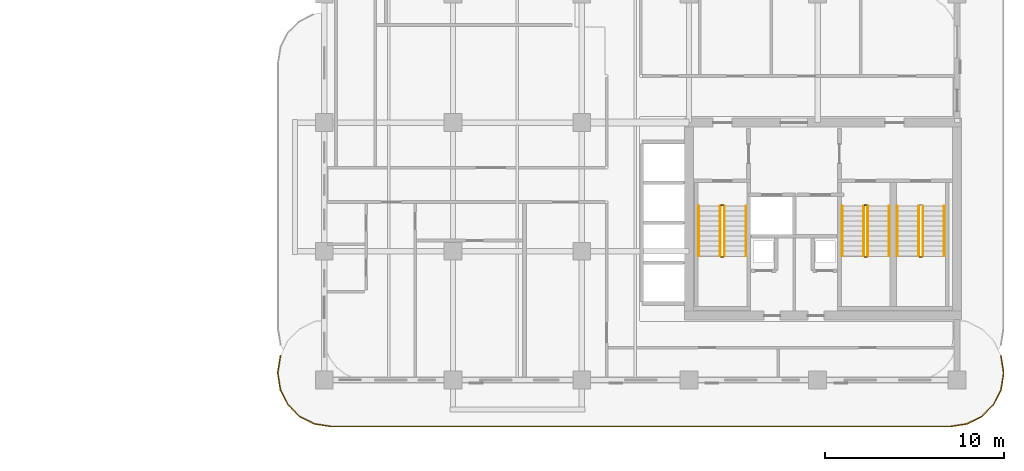
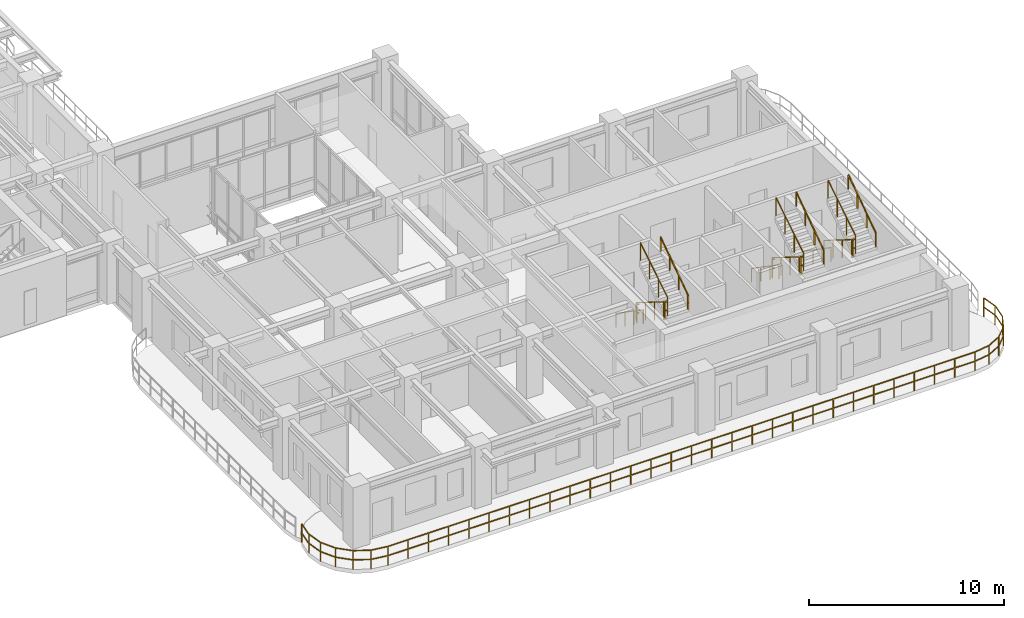
# One storey, part 17 of 20: 18 railings.
"""IFC4 building model written with IfcOpenShell, lengths in metres."""

from ifc_helpers import new_model, si_unit, derived_unit, direction, frame, origin, origin_2d, place, context, subcontext, project, spatial, rectangle, extrude, material, type_object, element, save


model = new_model("IFC4")

# Units and contexts
model_context = context("Model", 3, precision=1e-05, world=origin(), true_north=direction((0.0, 1.0)))
body_context = subcontext(model_context, "Body", "Model", "MODEL_VIEW")
ifc_project = project(units=[si_unit("LENGTHUNIT", "METRE"), si_unit("AREAUNIT", "SQUARE_METRE"), si_unit("VOLUMEUNIT", "CUBIC_METRE"), si_unit("PLANEANGLEUNIT", "RADIAN"), si_unit("MASSUNIT", "GRAM", prefix="KILO"), si_unit("THERMODYNAMICTEMPERATUREUNIT", "KELVIN"), si_unit("POWERUNIT", "WATT"), derived_unit("THERMALTRANSMITTANCEUNIT", [(si_unit("POWERUNIT", "WATT"), 1), (si_unit("AREAUNIT", "SQUARE_METRE"), -1), (si_unit("THERMODYNAMICTEMPERATUREUNIT", "KELVIN"), -1)])], contexts=[model_context])

# Site, building, storey
site_placement = place(None, origin())
site = spatial("IfcSite", under=ifc_project, at=site_placement, CompositionType="ELEMENT")
building_placement = place(site_placement, origin())
building = spatial("IfcBuilding", under=site, at=building_placement, Name="Zahravan Archway Hotel and Residences", CompositionType="ELEMENT")
storey_placement = place(building_placement, frame((0.0, 0.0, 154.14990234375)))
storey = spatial("IfcBuildingStorey", under=building, at=storey_placement, Name="L38", CompositionType="ELEMENT", Elevation=154.14990234375)

# Railings
ifc_material_1 = material(Name="Bronze & Laminated Glass Balustrade", Category="glass")
railing_type_1 = type_object("IfcRailingType", Name="RL-BAL-1200", PredefinedType="BALUSTRADE", material=ifc_material_1)
railing_1_placement = place(storey_placement, frame((52.255615234375, 1.361572265625, 0.0)))
element("IfcRailing", 1, at=railing_1_placement, inside=storey, type_object=railing_type_1, Name="L38 Balustrade RL-SLB-BAL-L38-SA-1", PredefinedType="BALUSTRADE", context=body_context, shape_type="SweptSolid", body=[
    extrude(rectangle(XDim=0.048095703125, YDim=0.048095703125, at=origin_2d()), frame((0.0, 0.0, 1.17578125), z_axis=(0.156329311416, -0.987704989555, 0.0), x_axis=(0.987704989555, 0.156329311416, 0.0)), (0.0, 0.0, 1.0), 0.9228515625),
    extrude(rectangle(XDim=0.048095703125, YDim=0.048095703125, at=origin_2d()), frame((0.0, 0.0, 0.60009765625), z_axis=(0.156329311416, -0.987704989555, 0.0), x_axis=(0.987704989555, 0.156329311416, 0.0)), (0.0, 0.0, 1.0), 0.9228515625),
    extrude(rectangle(XDim=0.048095703125, YDim=0.048095703125, at=origin_2d()), frame((0.144287109375, -0.91162109375, 1.17578125), z_axis=(0.0, -1.0, 0.0), x_axis=(1.0, 0.0, 0.0)), (0.0, 0.0, 1.0), 0.099853515625),
    extrude(rectangle(XDim=0.048095703125, YDim=0.048095703125, at=origin_2d()), frame((0.144287109375, -0.91162109375, 0.60009765625), z_axis=(0.0, -1.0, 0.0), x_axis=(1.0, 0.0, 0.0)), (0.0, 0.0, 1.0), 0.099853515625),
    extrude(rectangle(XDim=0.048095703125, YDim=0.048095703125, at=origin_2d()), frame((0.144287109375, -1.011474609375, 1.17578125), z_axis=(-0.156329311416, -0.987704989555, 0.0), x_axis=(0.987704989555, -0.156329311416, 0.0)), (0.0, 0.0, 1.0), 0.9228515625),
    extrude(rectangle(XDim=0.048095703125, YDim=0.048095703125, at=origin_2d()), frame((0.144287109375, -1.011474609375, 0.60009765625), z_axis=(-0.156329311416, -0.987704989555, 0.0), x_axis=(0.987704989555, -0.156329311416, 0.0)), (0.0, 0.0, 1.0), 0.9228515625),
    extrude(rectangle(XDim=0.048095703125, YDim=0.048095703125, at=origin_2d()), frame((0.0, -1.923095703125, 1.17578125), z_axis=(-0.453866348456, -0.891069771532, 0.0), x_axis=(0.891069771532, -0.453866348456, 0.0)), (0.0, 0.0, 1.0), 0.923095703125),
    extrude(rectangle(XDim=0.048095703125, YDim=0.048095703125, at=origin_2d()), frame((0.0, -1.923095703125, 0.60009765625), z_axis=(-0.453866348456, -0.891069771532, 0.0), x_axis=(0.891069771532, -0.453866348456, 0.0)), (0.0, 0.0, 1.0), 0.923095703125),
    extrude(rectangle(XDim=0.048095703125, YDim=0.048095703125, at=origin_2d()), frame((-0.4189453125, -2.74560546875, 1.17578125), z_axis=(-0.707106781187, -0.707106781187, 0.0), x_axis=(0.707106781187, -0.707106781187, 0.0)), (0.0, 0.0, 1.0), 0.9228515625),
    extrude(rectangle(XDim=0.048095703125, YDim=0.048095703125, at=origin_2d()), frame((-0.4189453125, -2.74560546875, 0.60009765625), z_axis=(-0.707106781187, -0.707106781187, 0.0), x_axis=(0.707106781187, -0.707106781187, 0.0)), (0.0, 0.0, 1.0), 0.9228515625),
    extrude(rectangle(XDim=0.048095703125, YDim=0.048095703125, at=origin_2d()), frame((-1.071533203125, -3.398193359375, 1.17578125), z_axis=(-0.891069771532, -0.453866348456, 0.0), x_axis=(0.453866348456, -0.891069771532, 0.0)), (0.0, 0.0, 1.0), 0.923095703125),
    extrude(rectangle(XDim=0.048095703125, YDim=0.048095703125, at=origin_2d()), frame((-1.071533203125, -3.398193359375, 0.60009765625), z_axis=(-0.891069771532, -0.453866348456, 0.0), x_axis=(0.453866348456, -0.891069771532, 0.0)), (0.0, 0.0, 1.0), 0.923095703125),
    extrude(rectangle(XDim=0.048095703125, YDim=0.048095703125, at=origin_2d()), frame((-1.89404296875, -3.817138671875, 1.17578125), z_axis=(-0.98766411426, -0.156587347521, 0.0), x_axis=(0.156587347521, -0.98766411426, 0.0)), (0.0, 0.0, 1.0), 0.923095703125),
    extrude(rectangle(XDim=0.048095703125, YDim=0.048095703125, at=origin_2d()), frame((-1.89404296875, -3.817138671875, 0.60009765625), z_axis=(-0.98766411426, -0.156587347521, 0.0), x_axis=(0.156587347521, -0.98766411426, 0.0)), (0.0, 0.0, 1.0), 0.923095703125),
    extrude(rectangle(XDim=0.048095703125, YDim=0.048095703125, at=origin_2d()), frame((-2.8056640625, -3.961669921875, 1.17578125), z_axis=(-1.0, 0.0, 0.0), x_axis=(0.0, -1.0, 0.0)), (0.0, 0.0, 1.0), 34.699951171875),
    extrude(rectangle(XDim=0.048095703125, YDim=0.048095703125, at=origin_2d()), frame((-2.8056640625, -3.961669921875, 0.60009765625), z_axis=(-1.0, 0.0, 0.0), x_axis=(0.0, -1.0, 0.0)), (0.0, 0.0, 1.0), 34.699951171875),
    extrude(rectangle(XDim=0.048095703125, YDim=0.048095703125, at=origin_2d()), frame((-37.505615234375, -3.961669921875, 1.17578125), z_axis=(-0.98766411426, 0.156587347521, 0.0), x_axis=(-0.156587347521, -0.98766411426, 0.0)), (0.0, 0.0, 1.0), 0.923095703125),
    extrude(rectangle(XDim=0.048095703125, YDim=0.048095703125, at=origin_2d()), frame((-37.505615234375, -3.961669921875, 0.60009765625), z_axis=(-0.98766411426, 0.156587347521, 0.0), x_axis=(-0.156587347521, -0.98766411426, 0.0)), (0.0, 0.0, 1.0), 0.923095703125),
    extrude(rectangle(XDim=0.048095703125, YDim=0.048095703125, at=origin_2d()), frame((-38.417236328125, -3.817138671875, 1.17578125), z_axis=(-0.891015268556, 0.453973337542, 0.0), x_axis=(-0.453973337542, -0.891015268556, 0.0)), (0.0, 0.0, 1.0), 0.9228515625),
    extrude(rectangle(XDim=0.048095703125, YDim=0.048095703125, at=origin_2d()), frame((-38.417236328125, -3.817138671875, 0.60009765625), z_axis=(-0.891015268556, 0.453973337542, 0.0), x_axis=(-0.453973337542, -0.891015268556, 0.0)), (0.0, 0.0, 1.0), 0.9228515625),
    extrude(rectangle(XDim=0.048095703125, YDim=0.048095703125, at=origin_2d()), frame((-39.239501953125, -3.398193359375, 1.17578125), z_axis=(-0.707239012465, 0.706974525176, 0.0), x_axis=(-0.706974525176, -0.707239012465, 0.0)), (0.0, 0.0, 1.0), 0.923095703125),
    extrude(rectangle(XDim=0.048095703125, YDim=0.048095703125, at=origin_2d()), frame((-39.239501953125, -3.398193359375, 0.60009765625), z_axis=(-0.707239012465, 0.706974525176, 0.0), x_axis=(-0.706974525176, -0.707239012465, 0.0)), (0.0, 0.0, 1.0), 0.923095703125),
    extrude(rectangle(XDim=0.048095703125, YDim=0.048095703125, at=origin_2d()), frame((-39.892333984375, -2.74560546875, 1.17578125), z_axis=(-0.453866348456, 0.891069771532, 0.0), x_axis=(-0.891069771532, -0.453866348456, 0.0)), (0.0, 0.0, 1.0), 0.923095703125),
    extrude(rectangle(XDim=0.048095703125, YDim=0.048095703125, at=origin_2d()), frame((-39.892333984375, -2.74560546875, 0.60009765625), z_axis=(-0.453866348456, 0.891069771532, 0.0), x_axis=(-0.891069771532, -0.453866348456, 0.0)), (0.0, 0.0, 1.0), 0.923095703125),
    extrude(rectangle(XDim=0.048095703125, YDim=0.048095703125, at=origin_2d()), frame((-40.311279296875, -1.923095703125, 1.17578125), z_axis=(-0.156329311416, 0.987704989555, 0.0), x_axis=(-0.987704989555, -0.156329311416, 0.0)), (0.0, 0.0, 1.0), 0.9228515625),
    extrude(rectangle(XDim=0.048095703125, YDim=0.048095703125, at=origin_2d()), frame((-40.311279296875, -1.923095703125, 0.60009765625), z_axis=(-0.156329311416, 0.987704989555, 0.0), x_axis=(-0.987704989555, -0.156329311416, 0.0)), (0.0, 0.0, 1.0), 0.9228515625),
    extrude(rectangle(XDim=0.048095703125, YDim=0.048095703125, at=origin_2d()), frame((-40.45556640625, -1.011474609375, 1.17578125), z_axis=(0.0, 1.0, 0.0), x_axis=(-1.0, 0.0, 0.0)), (0.0, 0.0, 1.0), 0.099853515625),
    extrude(rectangle(XDim=0.048095703125, YDim=0.048095703125, at=origin_2d()), frame((-40.45556640625, -1.011474609375, 0.60009765625), z_axis=(0.0, 1.0, 0.0), x_axis=(-1.0, 0.0, 0.0)), (0.0, 0.0, 1.0), 0.099853515625),
    extrude(rectangle(XDim=0.048095703125, YDim=0.048095703125, at=origin_2d()), frame((-40.45556640625, -0.91162109375, 1.17578125), z_axis=(0.156329311416, 0.987704989555, 0.0), x_axis=(-0.987704989555, 0.156329311416, 0.0)), (0.0, 0.0, 1.0), 0.9228515625),
    extrude(rectangle(XDim=0.048095703125, YDim=0.048095703125, at=origin_2d()), frame((-40.45556640625, -0.91162109375, 0.60009765625), z_axis=(0.156329311416, 0.987704989555, 0.0), x_axis=(-0.987704989555, 0.156329311416, 0.0)), (0.0, 0.0, 1.0), 0.9228515625),
    extrude(rectangle(XDim=0.0419921875, YDim=0.0419921875, at=origin_2d()), origin(), (0.0, 0.0, 1.0), 1.15185546875),
    extrude(rectangle(XDim=0.0419921875, YDim=0.0419921875, at=origin_2d()), frame((0.144287109375, -0.91162109375, 0.0)), (0.0, 0.0, 1.0), 1.15185546875),
    extrude(rectangle(XDim=0.0419921875, YDim=0.0419921875, at=origin_2d()), frame((0.0, -1.923095703125, 0.0)), (0.0, 0.0, 1.0), 1.15185546875),
    extrude(rectangle(XDim=0.0419921875, YDim=0.0419921875, at=origin_2d()), frame((-0.4189453125, -2.74560546875, 0.0)), (0.0, 0.0, 1.0), 1.15185546875),
    extrude(rectangle(XDim=0.0419921875, YDim=0.0419921875, at=origin_2d()), frame((-1.071533203125, -3.398193359375, 0.0)), (0.0, 0.0, 1.0), 1.15185546875),
    extrude(rectangle(XDim=0.0419921875, YDim=0.0419921875, at=origin_2d()), frame((-1.89404296875, -3.817138671875, 0.0)), (0.0, 0.0, 1.0), 1.15185546875),
    extrude(rectangle(XDim=0.0419921875, YDim=0.0419921875, at=origin_2d()), frame((-2.8056640625, -3.961669921875, 0.0)), (0.0, 0.0, 1.0), 1.15185546875),
    extrude(rectangle(XDim=0.0419921875, YDim=0.0419921875, at=origin_2d()), frame((-4.002197265625, -3.961669921875, 0.0)), (0.0, 0.0, 1.0), 1.15185546875),
    extrude(rectangle(XDim=0.0419921875, YDim=0.0419921875, at=origin_2d()), frame((-5.19873046875, -3.961669921875, 0.0)), (0.0, 0.0, 1.0), 1.15185546875),
    extrude(rectangle(XDim=0.0419921875, YDim=0.0419921875, at=origin_2d()), frame((-6.395263671875, -3.961669921875, 0.0)), (0.0, 0.0, 1.0), 1.15185546875),
    extrude(rectangle(XDim=0.0419921875, YDim=0.0419921875, at=origin_2d()), frame((-7.591796875, -3.961669921875, 0.0)), (0.0, 0.0, 1.0), 1.15185546875),
    extrude(rectangle(XDim=0.0419921875, YDim=0.0419921875, at=origin_2d()), frame((-8.788330078125, -3.961669921875, 0.0)), (0.0, 0.0, 1.0), 1.15185546875),
    extrude(rectangle(XDim=0.0419921875, YDim=0.0419921875, at=origin_2d()), frame((-9.98486328125, -3.961669921875, 0.0)), (0.0, 0.0, 1.0), 1.15185546875),
    extrude(rectangle(XDim=0.0419921875, YDim=0.0419921875, at=origin_2d()), frame((-11.181396484375, -3.961669921875, 0.0)), (0.0, 0.0, 1.0), 1.15185546875),
    extrude(rectangle(XDim=0.0419921875, YDim=0.0419921875, at=origin_2d()), frame((-12.378173828125, -3.961669921875, 0.0)), (0.0, 0.0, 1.0), 1.15185546875),
    extrude(rectangle(XDim=0.0419921875, YDim=0.0419921875, at=origin_2d()), frame((-13.57470703125, -3.961669921875, 0.0)), (0.0, 0.0, 1.0), 1.15185546875),
    extrude(rectangle(XDim=0.0419921875, YDim=0.0419921875, at=origin_2d()), frame((-14.771240234375, -3.961669921875, 0.0)), (0.0, 0.0, 1.0), 1.15185546875),
    extrude(rectangle(XDim=0.0419921875, YDim=0.0419921875, at=origin_2d()), frame((-15.9677734375, -3.961669921875, 0.0)), (0.0, 0.0, 1.0), 1.15185546875),
    extrude(rectangle(XDim=0.0419921875, YDim=0.0419921875, at=origin_2d()), frame((-17.164306640625, -3.961669921875, 0.0)), (0.0, 0.0, 1.0), 1.15185546875),
    extrude(rectangle(XDim=0.0419921875, YDim=0.0419921875, at=origin_2d()), frame((-18.36083984375, -3.961669921875, 0.0)), (0.0, 0.0, 1.0), 1.15185546875),
    extrude(rectangle(XDim=0.0419921875, YDim=0.0419921875, at=origin_2d()), frame((-19.557373046875, -3.961669921875, 0.0)), (0.0, 0.0, 1.0), 1.15185546875),
    extrude(rectangle(XDim=0.0419921875, YDim=0.0419921875, at=origin_2d()), frame((-20.75390625, -3.961669921875, 0.0)), (0.0, 0.0, 1.0), 1.15185546875),
    extrude(rectangle(XDim=0.0419921875, YDim=0.0419921875, at=origin_2d()), frame((-21.950439453125, -3.961669921875, 0.0)), (0.0, 0.0, 1.0), 1.15185546875),
    extrude(rectangle(XDim=0.0419921875, YDim=0.0419921875, at=origin_2d()), frame((-23.14697265625, -3.961669921875, 0.0)), (0.0, 0.0, 1.0), 1.15185546875),
    extrude(rectangle(XDim=0.0419921875, YDim=0.0419921875, at=origin_2d()), frame((-24.343505859375, -3.961669921875, 0.0)), (0.0, 0.0, 1.0), 1.15185546875),
    extrude(rectangle(XDim=0.0419921875, YDim=0.0419921875, at=origin_2d()), frame((-25.5400390625, -3.961669921875, 0.0)), (0.0, 0.0, 1.0), 1.15185546875),
    extrude(rectangle(XDim=0.0419921875, YDim=0.0419921875, at=origin_2d()), frame((-26.736572265625, -3.961669921875, 0.0)), (0.0, 0.0, 1.0), 1.15185546875),
    extrude(rectangle(XDim=0.0419921875, YDim=0.0419921875, at=origin_2d()), frame((-27.93310546875, -3.961669921875, 0.0)), (0.0, 0.0, 1.0), 1.15185546875),
    extrude(rectangle(XDim=0.0419921875, YDim=0.0419921875, at=origin_2d()), frame((-29.1298828125, -3.961669921875, 0.0)), (0.0, 0.0, 1.0), 1.15185546875),
    extrude(rectangle(XDim=0.0419921875, YDim=0.0419921875, at=origin_2d()), frame((-30.326416015625, -3.961669921875, 0.0)), (0.0, 0.0, 1.0), 1.15185546875),
    extrude(rectangle(XDim=0.0419921875, YDim=0.0419921875, at=origin_2d()), frame((-31.52294921875, -3.961669921875, 0.0)), (0.0, 0.0, 1.0), 1.15185546875),
    extrude(rectangle(XDim=0.0419921875, YDim=0.0419921875, at=origin_2d()), frame((-32.719482421875, -3.961669921875, 0.0)), (0.0, 0.0, 1.0), 1.15185546875),
    extrude(rectangle(XDim=0.0419921875, YDim=0.0419921875, at=origin_2d()), frame((-33.916015625, -3.961669921875, 0.0)), (0.0, 0.0, 1.0), 1.15185546875),
    extrude(rectangle(XDim=0.0419921875, YDim=0.0419921875, at=origin_2d()), frame((-35.112548828125, -3.961669921875, 0.0)), (0.0, 0.0, 1.0), 1.15185546875),
    extrude(rectangle(XDim=0.0419921875, YDim=0.0419921875, at=origin_2d()), frame((-36.30908203125, -3.961669921875, 0.0)), (0.0, 0.0, 1.0), 1.15185546875),
    extrude(rectangle(XDim=0.0419921875, YDim=0.0419921875, at=origin_2d()), frame((-37.505615234375, -3.961669921875, 0.0)), (0.0, 0.0, 1.0), 1.15185546875),
    extrude(rectangle(XDim=0.0419921875, YDim=0.0419921875, at=origin_2d()), frame((-38.417236328125, -3.817138671875, 0.0)), (0.0, 0.0, 1.0), 1.15185546875),
    extrude(rectangle(XDim=0.0419921875, YDim=0.0419921875, at=origin_2d()), frame((-39.239501953125, -3.398193359375, 0.0)), (0.0, 0.0, 1.0), 1.15185546875),
    extrude(rectangle(XDim=0.0419921875, YDim=0.0419921875, at=origin_2d()), frame((-39.892333984375, -2.74560546875, 0.0)), (0.0, 0.0, 1.0), 1.15185546875),
    extrude(rectangle(XDim=0.0419921875, YDim=0.0419921875, at=origin_2d()), frame((-40.311279296875, -1.923095703125, 0.0)), (0.0, 0.0, 1.0), 1.15185546875),
    extrude(rectangle(XDim=0.0419921875, YDim=0.0419921875, at=origin_2d()), frame((-40.45556640625, -1.011474609375, 0.0)), (0.0, 0.0, 1.0), 1.15185546875),
    extrude(rectangle(XDim=0.0419921875, YDim=0.0419921875, at=origin_2d()), frame((-40.311279296875, 0.0, 0.0)), (0.0, 0.0, 1.0), 1.15185546875),
])
ifc_material_2 = material(Name="Painted Tubular Steel", Category="steel")
railing_type_2 = type_object("IfcRailingType", Name="RL-STG-1150", PredefinedType="GUARDRAIL", material=ifc_material_2)
railing_2_placement = place(storey_placement, frame((36.550048828125, 9.72998046875, 0.175048828125)))
element("IfcRailing", 2, at=railing_2_placement, inside=storey, type_object=railing_type_2, Name="L38 ST-A1 stair guard 1", PredefinedType="GUARDRAIL", context=body_context, shape_type="SweptSolid", body=[
    extrude(rectangle(XDim=0.048095703125, YDim=0.048095703125, at=origin_2d()), frame((0.0, 0.0, 1.1259765625), z_axis=(0.0, -0.848002457836, 0.529992293815), x_axis=(1.0, 0.0, 0.0)), (0.0, 0.0, 1.0), 3.302001953125),
    extrude(rectangle(XDim=0.0419921875, YDim=0.0419921875, at=origin_2d()), origin(), (0.0, 0.0, 1.0), 1.101806640625),
    extrude(rectangle(XDim=0.0419921875, YDim=0.0419921875, at=origin_2d()), frame((0.0, -0.933349609375, 0.583251953125)), (0.0, 0.0, 1.0), 1.101806640625),
    extrude(rectangle(XDim=0.0419921875, YDim=0.0419921875, at=origin_2d()), frame((0.0, -1.86669921875, 1.166748046875)), (0.0, 0.0, 1.0), 1.101806640625),
    extrude(rectangle(XDim=0.0419921875, YDim=0.0419921875, at=origin_2d()), frame((0.0, -2.800048828125, 1.75)), (0.0, 0.0, 1.0), 1.101806640625),
])
railing_3_placement = place(storey_placement, frame((36.60009765625, 6.8798828125, 1.925048828125)))
element("IfcRailing", 3, at=railing_3_placement, inside=storey, type_object=railing_type_2, Name="L38 ST-A1 stair guard 2", PredefinedType="GUARDRAIL", context=body_context, shape_type="SweptSolid", body=[
    extrude(rectangle(XDim=0.048095703125, YDim=0.048095703125, at=origin_2d()), frame((0.0, 0.0, 1.1259765625), z_axis=(1.0, 0.0, 0.0), x_axis=(0.0, 1.0, 0.0)), (0.0, 0.0, 1.0), 0.139892578125),
    extrude(rectangle(XDim=0.048095703125, YDim=0.048095703125, at=origin_2d()), frame((0.0, 0.0, 0.574951171875), z_axis=(1.0, 0.0, 0.0), x_axis=(0.0, 1.0, 0.0)), (0.0, 0.0, 1.0), 0.139892578125),
    extrude(rectangle(XDim=0.0419921875, YDim=0.0419921875, at=origin_2d()), origin(), (0.0, 0.0, 1.0), 1.101806640625),
])
railing_4_placement = place(storey_placement, frame((36.7900390625, 6.929931640625, 2.10009765625)))
element("IfcRailing", 4, at=railing_4_placement, inside=storey, type_object=railing_type_2, Name="L38 ST-A1 stair guard 3", PredefinedType="GUARDRAIL", context=body_context, shape_type="SweptSolid", body=[
    extrude(rectangle(XDim=0.048095703125, YDim=0.048095703125, at=origin_2d()), frame((0.0, 0.0, 1.1259765625), z_axis=(0.0, 0.848002457836, 0.529992293815), x_axis=(-1.0, 0.0, 0.0)), (0.0, 0.0, 1.0), 3.302001953125),
    extrude(rectangle(XDim=0.0419921875, YDim=0.0419921875, at=origin_2d()), origin(), (0.0, 0.0, 1.0), 1.101806640625),
    extrude(rectangle(XDim=0.0419921875, YDim=0.0419921875, at=origin_2d()), frame((0.0, 0.933349609375, 0.583251953125)), (0.0, 0.0, 1.0), 1.101806640625),
    extrude(rectangle(XDim=0.0419921875, YDim=0.0419921875, at=origin_2d()), frame((0.0, 1.86669921875, 1.166748046875)), (0.0, 0.0, 1.0), 1.101806640625),
    extrude(rectangle(XDim=0.0419921875, YDim=0.0419921875, at=origin_2d()), frame((0.0, 2.800048828125, 1.75)), (0.0, 0.0, 1.0), 1.101806640625),
])
railing_5_placement = place(storey_placement, frame((36.60009765625, 9.780029296875, 0.0)))
element("IfcRailing", 5, at=railing_5_placement, inside=storey, type_object=railing_type_2, Name="L38 ST-A1 stair guard 4", PredefinedType="GUARDRAIL", context=body_context, shape_type="SweptSolid", body=[
    extrude(rectangle(XDim=0.048095703125, YDim=0.048095703125, at=origin_2d()), frame((0.0, 0.0, 1.1259765625), z_axis=(1.0, 0.0, 0.0), x_axis=(0.0, 1.0, 0.0)), (0.0, 0.0, 1.0), 0.139892578125),
    extrude(rectangle(XDim=0.048095703125, YDim=0.048095703125, at=origin_2d()), frame((0.0, 0.0, 0.574951171875), z_axis=(1.0, 0.0, 0.0), x_axis=(0.0, 1.0, 0.0)), (0.0, 0.0, 1.0), 0.139892578125),
    extrude(rectangle(XDim=0.0419921875, YDim=0.0419921875, at=origin_2d()), origin(), (0.0, 0.0, 1.0), 1.101806640625),
])
railing_6_placement = place(storey_placement, frame((44.570068359375, 9.72998046875, 0.175048828125)))
element("IfcRailing", 6, at=railing_6_placement, inside=storey, type_object=railing_type_2, Name="L38 ST-A2 stair guard 1", PredefinedType="GUARDRAIL", context=body_context, shape_type="SweptSolid", body=[
    extrude(rectangle(XDim=0.048095703125, YDim=0.048095703125, at=origin_2d()), frame((0.0, 0.0, 1.1259765625), z_axis=(0.0, -0.848002457836, 0.529992293815), x_axis=(1.0, 0.0, 0.0)), (0.0, 0.0, 1.0), 3.302001953125),
    extrude(rectangle(XDim=0.0419921875, YDim=0.0419921875, at=origin_2d()), origin(), (0.0, 0.0, 1.0), 1.101806640625),
    extrude(rectangle(XDim=0.0419921875, YDim=0.0419921875, at=origin_2d()), frame((0.0, -0.933349609375, 0.583251953125)), (0.0, 0.0, 1.0), 1.101806640625),
    extrude(rectangle(XDim=0.0419921875, YDim=0.0419921875, at=origin_2d()), frame((0.0, -1.86669921875, 1.166748046875)), (0.0, 0.0, 1.0), 1.101806640625),
    extrude(rectangle(XDim=0.0419921875, YDim=0.0419921875, at=origin_2d()), frame((0.0, -2.800048828125, 1.75)), (0.0, 0.0, 1.0), 1.101806640625),
])
railing_7_placement = place(storey_placement, frame((44.6201171875, 6.8798828125, 1.925048828125)))
element("IfcRailing", 7, at=railing_7_placement, inside=storey, type_object=railing_type_2, Name="L38 ST-A2 stair guard 2", PredefinedType="GUARDRAIL", context=body_context, shape_type="SweptSolid", body=[
    extrude(rectangle(XDim=0.048095703125, YDim=0.048095703125, at=origin_2d()), frame((0.0, 0.0, 1.1259765625), z_axis=(1.0, 0.0, 0.0), x_axis=(0.0, 1.0, 0.0)), (0.0, 0.0, 1.0), 0.139892578125),
    extrude(rectangle(XDim=0.048095703125, YDim=0.048095703125, at=origin_2d()), frame((0.0, 0.0, 0.574951171875), z_axis=(1.0, 0.0, 0.0), x_axis=(0.0, 1.0, 0.0)), (0.0, 0.0, 1.0), 0.139892578125),
    extrude(rectangle(XDim=0.0419921875, YDim=0.0419921875, at=origin_2d()), origin(), (0.0, 0.0, 1.0), 1.101806640625),
])
railing_8_placement = place(storey_placement, frame((44.81005859375, 6.929931640625, 2.10009765625)))
element("IfcRailing", 8, at=railing_8_placement, inside=storey, type_object=railing_type_2, Name="L38 ST-A2 stair guard 3", PredefinedType="GUARDRAIL", context=body_context, shape_type="SweptSolid", body=[
    extrude(rectangle(XDim=0.048095703125, YDim=0.048095703125, at=origin_2d()), frame((0.0, 0.0, 1.1259765625), z_axis=(0.0, 0.848002457836, 0.529992293815), x_axis=(-1.0, 0.0, 0.0)), (0.0, 0.0, 1.0), 3.302001953125),
    extrude(rectangle(XDim=0.0419921875, YDim=0.0419921875, at=origin_2d()), origin(), (0.0, 0.0, 1.0), 1.101806640625),
    extrude(rectangle(XDim=0.0419921875, YDim=0.0419921875, at=origin_2d()), frame((0.0, 0.933349609375, 0.583251953125)), (0.0, 0.0, 1.0), 1.101806640625),
    extrude(rectangle(XDim=0.0419921875, YDim=0.0419921875, at=origin_2d()), frame((0.0, 1.86669921875, 1.166748046875)), (0.0, 0.0, 1.0), 1.101806640625),
    extrude(rectangle(XDim=0.0419921875, YDim=0.0419921875, at=origin_2d()), frame((0.0, 2.800048828125, 1.75)), (0.0, 0.0, 1.0), 1.101806640625),
])
railing_9_placement = place(storey_placement, frame((44.6201171875, 9.780029296875, 0.0)))
element("IfcRailing", 9, at=railing_9_placement, inside=storey, type_object=railing_type_2, Name="L38 ST-A2 stair guard 4", PredefinedType="GUARDRAIL", context=body_context, shape_type="SweptSolid", body=[
    extrude(rectangle(XDim=0.048095703125, YDim=0.048095703125, at=origin_2d()), frame((0.0, 0.0, 1.1259765625), z_axis=(1.0, 0.0, 0.0), x_axis=(0.0, 1.0, 0.0)), (0.0, 0.0, 1.0), 0.139892578125),
    extrude(rectangle(XDim=0.048095703125, YDim=0.048095703125, at=origin_2d()), frame((0.0, 0.0, 0.574951171875), z_axis=(1.0, 0.0, 0.0), x_axis=(0.0, 1.0, 0.0)), (0.0, 0.0, 1.0), 0.139892578125),
    extrude(rectangle(XDim=0.0419921875, YDim=0.0419921875, at=origin_2d()), origin(), (0.0, 0.0, 1.0), 1.101806640625),
])
railing_10_placement = place(storey_placement, frame((47.64990234375, 9.72998046875, 0.175048828125)))
element("IfcRailing", 10, at=railing_10_placement, inside=storey, type_object=railing_type_2, Name="L38 ST-A3 stair guard 1", PredefinedType="GUARDRAIL", context=body_context, shape_type="SweptSolid", body=[
    extrude(rectangle(XDim=0.048095703125, YDim=0.048095703125, at=origin_2d()), frame((0.0, 0.0, 1.1259765625), z_axis=(0.0, -0.848002457836, 0.529992293815), x_axis=(1.0, 0.0, 0.0)), (0.0, 0.0, 1.0), 3.302001953125),
    extrude(rectangle(XDim=0.0419921875, YDim=0.0419921875, at=origin_2d()), origin(), (0.0, 0.0, 1.0), 1.101806640625),
    extrude(rectangle(XDim=0.0419921875, YDim=0.0419921875, at=origin_2d()), frame((0.0, -0.933349609375, 0.583251953125)), (0.0, 0.0, 1.0), 1.101806640625),
    extrude(rectangle(XDim=0.0419921875, YDim=0.0419921875, at=origin_2d()), frame((0.0, -1.86669921875, 1.166748046875)), (0.0, 0.0, 1.0), 1.101806640625),
    extrude(rectangle(XDim=0.0419921875, YDim=0.0419921875, at=origin_2d()), frame((0.0, -2.800048828125, 1.75)), (0.0, 0.0, 1.0), 1.101806640625),
])
railing_11_placement = place(storey_placement, frame((47.699951171875, 6.8798828125, 1.925048828125)))
element("IfcRailing", 11, at=railing_11_placement, inside=storey, type_object=railing_type_2, Name="L38 ST-A3 stair guard 2", PredefinedType="GUARDRAIL", context=body_context, shape_type="SweptSolid", body=[
    extrude(rectangle(XDim=0.048095703125, YDim=0.048095703125, at=origin_2d()), frame((0.0, 0.0, 1.1259765625), z_axis=(1.0, 0.0, 0.0), x_axis=(0.0, 1.0, 0.0)), (0.0, 0.0, 1.0), 0.14013671875),
    extrude(rectangle(XDim=0.048095703125, YDim=0.048095703125, at=origin_2d()), frame((0.0, 0.0, 0.574951171875), z_axis=(1.0, 0.0, 0.0), x_axis=(0.0, 1.0, 0.0)), (0.0, 0.0, 1.0), 0.14013671875),
    extrude(rectangle(XDim=0.0419921875, YDim=0.0419921875, at=origin_2d()), origin(), (0.0, 0.0, 1.0), 1.101806640625),
])
railing_12_placement = place(storey_placement, frame((47.889892578125, 6.929931640625, 2.10009765625)))
element("IfcRailing", 12, at=railing_12_placement, inside=storey, type_object=railing_type_2, Name="L38 ST-A3 stair guard 3", PredefinedType="GUARDRAIL", context=body_context, shape_type="SweptSolid", body=[
    extrude(rectangle(XDim=0.048095703125, YDim=0.048095703125, at=origin_2d()), frame((0.0, 0.0, 1.1259765625), z_axis=(0.0, 0.848002457836, 0.529992293815), x_axis=(-1.0, 0.0, 0.0)), (0.0, 0.0, 1.0), 3.302001953125),
    extrude(rectangle(XDim=0.0419921875, YDim=0.0419921875, at=origin_2d()), origin(), (0.0, 0.0, 1.0), 1.101806640625),
    extrude(rectangle(XDim=0.0419921875, YDim=0.0419921875, at=origin_2d()), frame((0.0, 0.933349609375, 0.583251953125)), (0.0, 0.0, 1.0), 1.101806640625),
    extrude(rectangle(XDim=0.0419921875, YDim=0.0419921875, at=origin_2d()), frame((0.0, 1.86669921875, 1.166748046875)), (0.0, 0.0, 1.0), 1.101806640625),
    extrude(rectangle(XDim=0.0419921875, YDim=0.0419921875, at=origin_2d()), frame((0.0, 2.800048828125, 1.75)), (0.0, 0.0, 1.0), 1.101806640625),
])
ifc_material_3 = material(Name="Brushed Stainless Steel", Category="steel")
railing_type_3 = type_object("IfcRailingType", Name="RL-STH-900", PredefinedType="HANDRAIL", material=ifc_material_3)
railing_13_placement = place(storey_placement, frame((35.35009765625, 9.72998046875, 0.175048828125)))
element("IfcRailing", 13, at=railing_13_placement, inside=storey, type_object=railing_type_3, Name="L38 ST-A1 stair handrail 1", PredefinedType="HANDRAIL", context=body_context, shape_type="SweptSolid", body=[
    extrude(rectangle(XDim=0.048095703125, YDim=0.048095703125, at=origin_2d()), frame((0.0, 0.0, 0.8759765625), z_axis=(0.0, -0.824039827795, 0.566531872191), x_axis=(1.0, 0.0, 0.0)), (0.0, 0.0, 1.0), 3.39794921875),
    extrude(rectangle(XDim=0.0419921875, YDim=0.0419921875, at=origin_2d()), origin(), (0.0, 0.0, 1.0), 0.851806640625),
    extrude(rectangle(XDim=0.0419921875, YDim=0.0419921875, at=origin_2d()), frame((0.0, -0.933349609375, 0.6416015625)), (0.0, 0.0, 1.0), 0.851806640625),
    extrude(rectangle(XDim=0.0419921875, YDim=0.0419921875, at=origin_2d()), frame((0.0, -1.86669921875, 1.283447265625)), (0.0, 0.0, 1.0), 0.851806640625),
    extrude(rectangle(XDim=0.0419921875, YDim=0.0419921875, at=origin_2d()), frame((0.0, -2.800048828125, 1.925048828125)), (0.0, 0.0, 1.0), 0.851806640625),
])
railing_14_placement = place(storey_placement, frame((37.989990234375, 6.929931640625, 2.10009765625)))
element("IfcRailing", 14, at=railing_14_placement, inside=storey, type_object=railing_type_3, Name="L38 ST-A1 stair handrail 2", PredefinedType="HANDRAIL", context=body_context, shape_type="SweptSolid", body=[
    extrude(rectangle(XDim=0.048095703125, YDim=0.048095703125, at=origin_2d()), frame((0.0, 0.0, 0.8759765625), z_axis=(0.0, 0.824039827795, 0.566531872191), x_axis=(-1.0, 0.0, 0.0)), (0.0, 0.0, 1.0), 3.39794921875),
    extrude(rectangle(XDim=0.0419921875, YDim=0.0419921875, at=origin_2d()), origin(), (0.0, 0.0, 1.0), 0.851806640625),
    extrude(rectangle(XDim=0.0419921875, YDim=0.0419921875, at=origin_2d()), frame((0.0, 0.933349609375, 0.6416015625)), (0.0, 0.0, 1.0), 0.851806640625),
    extrude(rectangle(XDim=0.0419921875, YDim=0.0419921875, at=origin_2d()), frame((0.0, 1.86669921875, 1.283447265625)), (0.0, 0.0, 1.0), 0.851806640625),
    extrude(rectangle(XDim=0.0419921875, YDim=0.0419921875, at=origin_2d()), frame((0.0, 2.800048828125, 1.925048828125)), (0.0, 0.0, 1.0), 0.851806640625),
])
railing_15_placement = place(storey_placement, frame((43.3701171875, 9.72998046875, 0.175048828125)))
element("IfcRailing", 15, at=railing_15_placement, inside=storey, type_object=railing_type_3, Name="L38 ST-A2 stair handrail 1", PredefinedType="HANDRAIL", context=body_context, shape_type="SweptSolid", body=[
    extrude(rectangle(XDim=0.048095703125, YDim=0.048095703125, at=origin_2d()), frame((0.0, 0.0, 0.8759765625), z_axis=(0.0, -0.824039827795, 0.566531872191), x_axis=(1.0, 0.0, 0.0)), (0.0, 0.0, 1.0), 3.39794921875),
    extrude(rectangle(XDim=0.0419921875, YDim=0.0419921875, at=origin_2d()), origin(), (0.0, 0.0, 1.0), 0.851806640625),
    extrude(rectangle(XDim=0.0419921875, YDim=0.0419921875, at=origin_2d()), frame((0.0, -0.933349609375, 0.6416015625)), (0.0, 0.0, 1.0), 0.851806640625),
    extrude(rectangle(XDim=0.0419921875, YDim=0.0419921875, at=origin_2d()), frame((0.0, -1.86669921875, 1.283447265625)), (0.0, 0.0, 1.0), 0.851806640625),
    extrude(rectangle(XDim=0.0419921875, YDim=0.0419921875, at=origin_2d()), frame((0.0, -2.800048828125, 1.925048828125)), (0.0, 0.0, 1.0), 0.851806640625),
])
railing_16_placement = place(storey_placement, frame((46.010009765625, 6.929931640625, 2.10009765625)))
element("IfcRailing", 16, at=railing_16_placement, inside=storey, type_object=railing_type_3, Name="L38 ST-A2 stair handrail 2", PredefinedType="HANDRAIL", context=body_context, shape_type="SweptSolid", body=[
    extrude(rectangle(XDim=0.048095703125, YDim=0.048095703125, at=origin_2d()), frame((0.0, 0.0, 0.8759765625), z_axis=(0.0, 0.824039827795, 0.566531872191), x_axis=(-1.0, 0.0, 0.0)), (0.0, 0.0, 1.0), 3.39794921875),
    extrude(rectangle(XDim=0.0419921875, YDim=0.0419921875, at=origin_2d()), origin(), (0.0, 0.0, 1.0), 0.851806640625),
    extrude(rectangle(XDim=0.0419921875, YDim=0.0419921875, at=origin_2d()), frame((0.0, 0.933349609375, 0.6416015625)), (0.0, 0.0, 1.0), 0.851806640625),
    extrude(rectangle(XDim=0.0419921875, YDim=0.0419921875, at=origin_2d()), frame((0.0, 1.86669921875, 1.283447265625)), (0.0, 0.0, 1.0), 0.851806640625),
    extrude(rectangle(XDim=0.0419921875, YDim=0.0419921875, at=origin_2d()), frame((0.0, 2.800048828125, 1.925048828125)), (0.0, 0.0, 1.0), 0.851806640625),
])
railing_17_placement = place(storey_placement, frame((46.449951171875, 9.72998046875, 0.175048828125)))
element("IfcRailing", 17, at=railing_17_placement, inside=storey, type_object=railing_type_3, Name="L38 ST-A3 stair handrail 1", PredefinedType="HANDRAIL", context=body_context, shape_type="SweptSolid", body=[
    extrude(rectangle(XDim=0.048095703125, YDim=0.048095703125, at=origin_2d()), frame((0.0, 0.0, 0.8759765625), z_axis=(0.0, -0.824039827795, 0.566531872191), x_axis=(1.0, 0.0, 0.0)), (0.0, 0.0, 1.0), 3.39794921875),
    extrude(rectangle(XDim=0.0419921875, YDim=0.0419921875, at=origin_2d()), origin(), (0.0, 0.0, 1.0), 0.851806640625),
    extrude(rectangle(XDim=0.0419921875, YDim=0.0419921875, at=origin_2d()), frame((0.0, -0.933349609375, 0.6416015625)), (0.0, 0.0, 1.0), 0.851806640625),
    extrude(rectangle(XDim=0.0419921875, YDim=0.0419921875, at=origin_2d()), frame((0.0, -1.86669921875, 1.283447265625)), (0.0, 0.0, 1.0), 0.851806640625),
    extrude(rectangle(XDim=0.0419921875, YDim=0.0419921875, at=origin_2d()), frame((0.0, -2.800048828125, 1.925048828125)), (0.0, 0.0, 1.0), 0.851806640625),
])
railing_18_placement = place(storey_placement, frame((49.090087890625, 6.929931640625, 2.10009765625)))
element("IfcRailing", 18, at=railing_18_placement, inside=storey, type_object=railing_type_3, Name="L38 ST-A3 stair handrail 2", PredefinedType="HANDRAIL", context=body_context, shape_type="SweptSolid", body=[
    extrude(rectangle(XDim=0.048095703125, YDim=0.048095703125, at=origin_2d()), frame((0.0, 0.0, 0.8759765625), z_axis=(0.0, 0.824039827795, 0.566531872191), x_axis=(-1.0, 0.0, 0.0)), (0.0, 0.0, 1.0), 3.39794921875),
    extrude(rectangle(XDim=0.0419921875, YDim=0.0419921875, at=origin_2d()), origin(), (0.0, 0.0, 1.0), 0.851806640625),
    extrude(rectangle(XDim=0.0419921875, YDim=0.0419921875, at=origin_2d()), frame((0.0, 0.933349609375, 0.6416015625)), (0.0, 0.0, 1.0), 0.851806640625),
    extrude(rectangle(XDim=0.0419921875, YDim=0.0419921875, at=origin_2d()), frame((0.0, 1.86669921875, 1.283447265625)), (0.0, 0.0, 1.0), 0.851806640625),
    extrude(rectangle(XDim=0.0419921875, YDim=0.0419921875, at=origin_2d()), frame((0.0, 2.800048828125, 1.925048828125)), (0.0, 0.0, 1.0), 0.851806640625),
])

save(model, "model.ifc")
